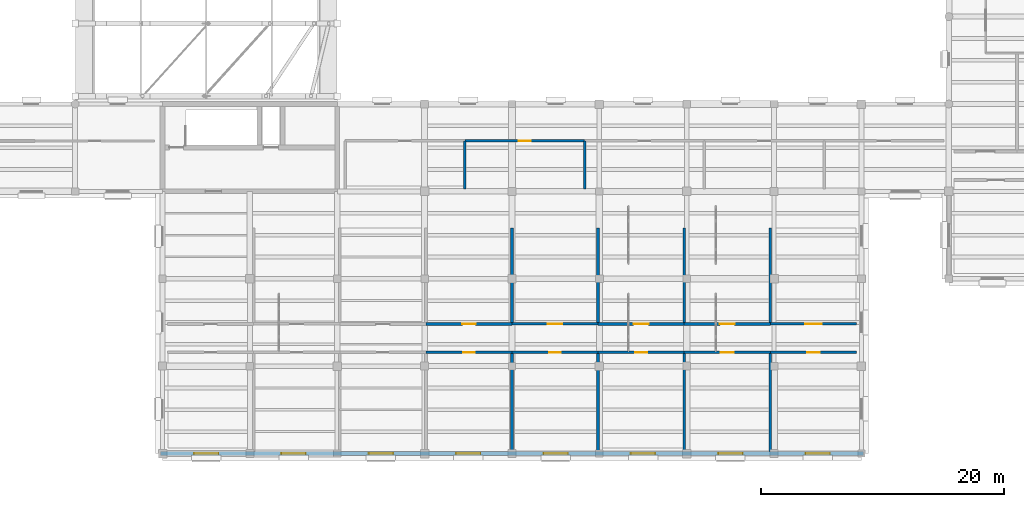
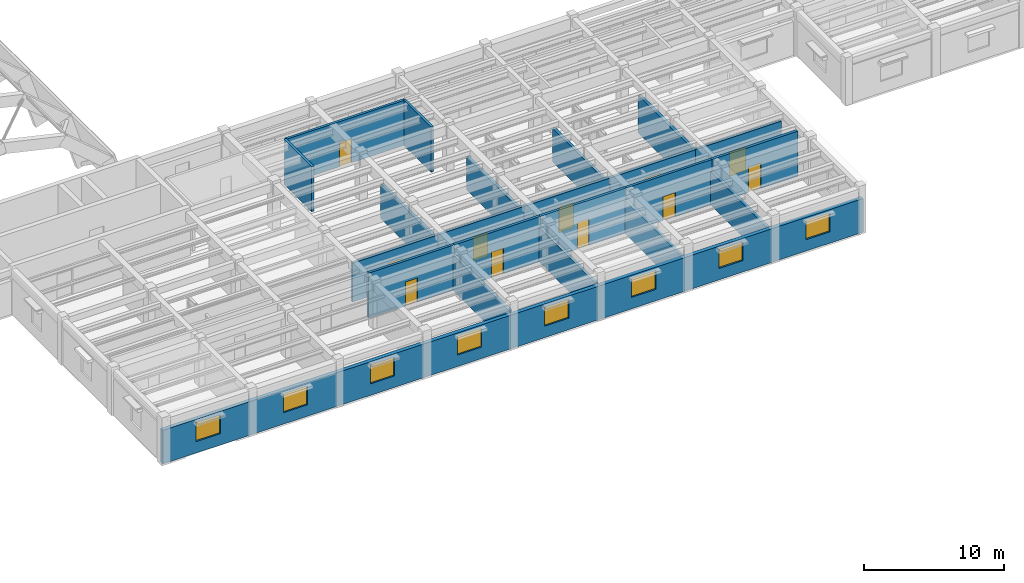
# One storey, part 41 of 66: 22 walls, 11 doors, 8 windows, 19 openings.
"""IFC4 building model written with IfcOpenShell, lengths in metres."""

from ifc_helpers import new_model, si_unit, direction, frame, frame_2d, origin, place, context, subcontext, project, spatial, rectangle, extrude, material, layer, layer_set, type_object, element, fill, save


model = new_model("IFC4")

# Units and contexts
model_context = context("Model", 3, precision=1e-05, world=origin(), true_north=direction((0.0, 1.0)))
body_context = subcontext(model_context, "Body", "Model", "MODEL_VIEW")
ifc_project = project(units=[si_unit("LENGTHUNIT", "METRE"), si_unit("AREAUNIT", "SQUARE_METRE"), si_unit("VOLUMEUNIT", "CUBIC_METRE"), si_unit("PLANEANGLEUNIT", "RADIAN"), si_unit("MASSUNIT", "GRAM", prefix="KILO")], contexts=[model_context])

# Site, building, storey
site_placement = place(None, origin())
site = spatial("IfcSite", under=ifc_project, at=site_placement, CompositionType="ELEMENT")
building_placement = place(site_placement, origin())
building = spatial("IfcBuilding", under=site, at=building_placement, Name="Mithqara Police Headquarters", CompositionType="ELEMENT")
storey_placement = place(building_placement, frame((0.0, 0.0, 9.60009765625)))
storey = spatial("IfcBuildingStorey", under=building, at=storey_placement, Name="L02", CompositionType="ELEMENT", Elevation=9.60009765625)

# Wall, openings, windows
ifc_material_1 = material(Name="Limestone ashlar masonry, 45 MPa", Category="masonry")
ifc_layer_1 = layer(ifc_material_1, 0.320068359375, Name="Limestone ashlar masonry, 45 MPa")
ifc_layer_set_1 = layer_set([ifc_layer_1], Name="Limestone ashlar masonry, 45 MPa")
wall_type_1 = type_object("IfcWallType", Name="EXT WALL LIMESTONE320", PredefinedType="SOLIDWALL", material=ifc_layer_set_1)
wall_1_placement = place(storey_placement, frame((79.639892578125, 6.60009765625, 0.0), z_axis=(0.0, 0.0, 1.0), x_axis=(1.0, 0.0, 0.0)))
wall_1 = element("IfcWall", 1, at=wall_1_placement, inside=storey, type_object=wall_type_1, Name="L02 Exterior Wall 2.1", PredefinedType="SOLIDWALL", context=body_context, shape_type="SweptSolid", body=[
    extrude(rectangle(XDim=57.920166015625, YDim=0.320068359375, at=frame_2d((28.9599609375, 0.0))), origin(), (0.0, 0.0, 1.0), 2.93994140625),
])
opening_1_placement = place(wall_1_placement, frame((2.760009765625, 0.0, 1.0)))
opening_1 = element("IfcOpeningElement", 2, at=opening_1_placement, cuts=wall_1, Name="Opening W-37", PredefinedType="OPENING", context=body_context, shape_type="SweptSolid", body=[
    extrude(rectangle(XDim=2.0, YDim=1.64990234375, at=frame_2d((1.0, 0.824951171875))), frame((0.0, 0.169921875, 0.0), z_axis=(0.0, -1.0, 0.0), x_axis=(1.0, 0.0, 0.0)), (0.0, 0.0, 1.0), 0.340087890625),
])
opening_2_placement = place(wall_1_placement, frame((9.9599609375, 0.0, 1.0)))
opening_2 = element("IfcOpeningElement", 3, at=opening_2_placement, cuts=wall_1, Name="Opening W-37", PredefinedType="OPENING", context=body_context, shape_type="SweptSolid", body=[
    extrude(rectangle(XDim=2.0, YDim=1.64990234375, at=frame_2d((1.0, 0.824951171875))), frame((0.0, 0.169921875, 0.0), z_axis=(0.0, -1.0, 0.0), x_axis=(1.0, 0.0, 0.0)), (0.0, 0.0, 1.0), 0.340087890625),
])
opening_3_placement = place(wall_1_placement, frame((17.159912109375, 0.0, 1.0)))
opening_3 = element("IfcOpeningElement", 4, at=opening_3_placement, cuts=wall_1, Name="Opening W-37", PredefinedType="OPENING", context=body_context, shape_type="SweptSolid", body=[
    extrude(rectangle(XDim=2.0, YDim=1.64990234375, at=frame_2d((1.0, 0.824951171875))), frame((0.0, 0.169921875, 0.0), z_axis=(0.0, -1.0, 0.0), x_axis=(1.0, 0.0, 0.0)), (0.0, 0.0, 1.0), 0.340087890625),
])
opening_4_placement = place(wall_1_placement, frame((24.360107421875, 0.0, 1.0)))
opening_4 = element("IfcOpeningElement", 5, at=opening_4_placement, cuts=wall_1, Name="Opening W-37", PredefinedType="OPENING", context=body_context, shape_type="SweptSolid", body=[
    extrude(rectangle(XDim=2.0, YDim=1.64990234375, at=frame_2d((1.0, 0.824951171875))), frame((0.0, 0.169921875, 0.0), z_axis=(0.0, -1.0, 0.0), x_axis=(1.0, 0.0, 0.0)), (0.0, 0.0, 1.0), 0.340087890625),
])
opening_5_placement = place(wall_1_placement, frame((31.56005859375, 0.0, 1.0)))
opening_5 = element("IfcOpeningElement", 6, at=opening_5_placement, cuts=wall_1, Name="Opening W-37", PredefinedType="OPENING", context=body_context, shape_type="SweptSolid", body=[
    extrude(rectangle(XDim=2.0, YDim=1.64990234375, at=frame_2d((1.0, 0.824951171875))), frame((0.0, 0.169921875, 0.0), z_axis=(0.0, -1.0, 0.0), x_axis=(1.0, 0.0, 0.0)), (0.0, 0.0, 1.0), 0.340087890625),
])
opening_6_placement = place(wall_1_placement, frame((38.760009765625, 0.0, 1.0)))
opening_6 = element("IfcOpeningElement", 7, at=opening_6_placement, cuts=wall_1, Name="Opening W-37", PredefinedType="OPENING", context=body_context, shape_type="SweptSolid", body=[
    extrude(rectangle(XDim=2.0, YDim=1.64990234375, at=frame_2d((1.0, 0.824951171875))), frame((0.0, 0.169921875, 0.0), z_axis=(0.0, -1.0, 0.0), x_axis=(1.0, 0.0, 0.0)), (0.0, 0.0, 1.0), 0.340087890625),
])
opening_7_placement = place(wall_1_placement, frame((45.9599609375, 0.0, 1.0)))
opening_7 = element("IfcOpeningElement", 8, at=opening_7_placement, cuts=wall_1, Name="Opening W-37", PredefinedType="OPENING", context=body_context, shape_type="SweptSolid", body=[
    extrude(rectangle(XDim=2.0, YDim=1.64990234375, at=frame_2d((1.0, 0.824951171875))), frame((0.0, 0.169921875, 0.0), z_axis=(0.0, -1.0, 0.0), x_axis=(1.0, 0.0, 0.0)), (0.0, 0.0, 1.0), 0.340087890625),
])
opening_8_placement = place(wall_1_placement, frame((53.159912109375, 0.0, 1.0)))
opening_8 = element("IfcOpeningElement", 9, at=opening_8_placement, cuts=wall_1, Name="Opening W-37", PredefinedType="OPENING", context=body_context, shape_type="SweptSolid", body=[
    extrude(rectangle(XDim=2.0, YDim=1.64990234375, at=frame_2d((1.0, 0.824951171875))), frame((0.0, 0.169921875, 0.0), z_axis=(0.0, -1.0, 0.0), x_axis=(1.0, 0.0, 0.0)), (0.0, 0.0, 1.0), 0.340087890625),
])
ifc_material_2 = material(Name="Spectrally selective double low-e glass", Category="glass")
window_type = type_object("IfcWindowType", Name="WINDOW 2000X1650", PartitioningType="DOUBLE_PANEL_VERTICAL", PredefinedType="WINDOW", material=ifc_material_2)
window_1_placement = place(opening_1_placement, origin())
window_1 = element("IfcWindow", 10, at=window_1_placement, inside=storey, type_object=window_type, Name="L02 Deep-Set Punched Window 2.1", OverallHeight=1.64990234375, OverallWidth=2.0, PartitioningType="SINGLE_PANEL", PredefinedType="WINDOW", context=body_context, shape_type="SweptSolid", body=[
    extrude(rectangle(XDim=2.0, YDim=1.64990234375, at=frame_2d((1.0, 0.824951171875))), frame((0.0, 0.030029296875, 0.0), z_axis=(0.0, -1.0, 0.0), x_axis=(1.0, 0.0, 0.0)), (0.0, 0.0, 1.0), 0.06005859375),
])
fill(opening_1, window_1)
window_2_placement = place(opening_2_placement, origin())
window_2 = element("IfcWindow", 11, at=window_2_placement, inside=storey, type_object=window_type, Name="L02 Deep-Set Punched Window 2.2", OverallHeight=1.64990234375, OverallWidth=2.0, PartitioningType="SINGLE_PANEL", PredefinedType="WINDOW", context=body_context, shape_type="SweptSolid", body=[
    extrude(rectangle(XDim=2.0, YDim=1.64990234375, at=frame_2d((1.0, 0.824951171875))), frame((0.0, 0.030029296875, 0.0), z_axis=(0.0, -1.0, 0.0), x_axis=(1.0, 0.0, 0.0)), (0.0, 0.0, 1.0), 0.06005859375),
])
fill(opening_2, window_2)
window_3_placement = place(opening_3_placement, origin())
window_3 = element("IfcWindow", 12, at=window_3_placement, inside=storey, type_object=window_type, Name="L02 Deep-Set Punched Window 2.3", OverallHeight=1.64990234375, OverallWidth=2.0, PartitioningType="SINGLE_PANEL", PredefinedType="WINDOW", context=body_context, shape_type="SweptSolid", body=[
    extrude(rectangle(XDim=2.0, YDim=1.64990234375, at=frame_2d((1.0, 0.824951171875))), frame((0.0, 0.030029296875, 0.0), z_axis=(0.0, -1.0, 0.0), x_axis=(1.0, 0.0, 0.0)), (0.0, 0.0, 1.0), 0.06005859375),
])
fill(opening_3, window_3)
window_4_placement = place(opening_4_placement, origin())
window_4 = element("IfcWindow", 13, at=window_4_placement, inside=storey, type_object=window_type, Name="L02 Deep-Set Punched Window 2.4", OverallHeight=1.64990234375, OverallWidth=2.0, PartitioningType="SINGLE_PANEL", PredefinedType="WINDOW", context=body_context, shape_type="SweptSolid", body=[
    extrude(rectangle(XDim=2.0, YDim=1.64990234375, at=frame_2d((1.0, 0.824951171875))), frame((0.0, 0.030029296875, 0.0), z_axis=(0.0, -1.0, 0.0), x_axis=(1.0, 0.0, 0.0)), (0.0, 0.0, 1.0), 0.06005859375),
])
fill(opening_4, window_4)
window_5_placement = place(opening_5_placement, origin())
window_5 = element("IfcWindow", 14, at=window_5_placement, inside=storey, type_object=window_type, Name="L02 Deep-Set Punched Window 2.5", OverallHeight=1.64990234375, OverallWidth=2.0, PartitioningType="SINGLE_PANEL", PredefinedType="WINDOW", context=body_context, shape_type="SweptSolid", body=[
    extrude(rectangle(XDim=2.0, YDim=1.64990234375, at=frame_2d((1.0, 0.824951171875))), frame((0.0, 0.030029296875, 0.0), z_axis=(0.0, -1.0, 0.0), x_axis=(1.0, 0.0, 0.0)), (0.0, 0.0, 1.0), 0.06005859375),
])
fill(opening_5, window_5)
window_6_placement = place(opening_6_placement, origin())
window_6 = element("IfcWindow", 15, at=window_6_placement, inside=storey, type_object=window_type, Name="L02 Deep-Set Punched Window 2.6", OverallHeight=1.64990234375, OverallWidth=2.0, PartitioningType="SINGLE_PANEL", PredefinedType="WINDOW", context=body_context, shape_type="SweptSolid", body=[
    extrude(rectangle(XDim=2.0, YDim=1.64990234375, at=frame_2d((1.0, 0.824951171875))), frame((0.0, 0.030029296875, 0.0), z_axis=(0.0, -1.0, 0.0), x_axis=(1.0, 0.0, 0.0)), (0.0, 0.0, 1.0), 0.06005859375),
])
fill(opening_6, window_6)
window_7_placement = place(opening_7_placement, origin())
window_7 = element("IfcWindow", 16, at=window_7_placement, inside=storey, type_object=window_type, Name="L02 Deep-Set Punched Window 2.7", OverallHeight=1.64990234375, OverallWidth=2.0, PartitioningType="SINGLE_PANEL", PredefinedType="WINDOW", context=body_context, shape_type="SweptSolid", body=[
    extrude(rectangle(XDim=2.0, YDim=1.64990234375, at=frame_2d((1.0, 0.824951171875))), frame((0.0, 0.030029296875, 0.0), z_axis=(0.0, -1.0, 0.0), x_axis=(1.0, 0.0, 0.0)), (0.0, 0.0, 1.0), 0.06005859375),
])
fill(opening_7, window_7)
window_8_placement = place(opening_8_placement, origin())
window_8 = element("IfcWindow", 17, at=window_8_placement, inside=storey, type_object=window_type, Name="L02 Deep-Set Punched Window 2.8", OverallHeight=1.64990234375, OverallWidth=2.0, PartitioningType="SINGLE_PANEL", PredefinedType="WINDOW", context=body_context, shape_type="SweptSolid", body=[
    extrude(rectangle(XDim=2.0, YDim=1.64990234375, at=frame_2d((1.0, 0.824951171875))), frame((0.0, 0.030029296875, 0.0), z_axis=(0.0, -1.0, 0.0), x_axis=(1.0, 0.0, 0.0)), (0.0, 0.0, 1.0), 0.06005859375),
])
fill(opening_8, window_8)

# Wall
ifc_material_3 = material(Name="Concrete C40/50", Category="concrete")
ifc_layer_2 = layer(ifc_material_3, 0.2099609375, Name="Concrete C40/50")
ifc_layer_set_2 = layer_set([ifc_layer_2], Name="Concrete C40/50")
wall_type_2 = type_object("IfcWallType", Name="PART WALL 210", PredefinedType="PARTITIONING", material=ifc_layer_set_2)
wall_2_placement = place(storey_placement, frame((104.716064453125, 28.3798828125, 0.0), z_axis=(0.0, 0.0, 1.0), x_axis=(0.0, 1.0, 0.0)))
element("IfcWall", 18, at=wall_2_placement, inside=storey, type_object=wall_type_2, Name="L02 Room Partition Community Safety Analysis Office", PredefinedType="PARTITIONING", context=body_context, shape_type="SweptSolid", body=[
    extrude(rectangle(XDim=3.980224609375, YDim=0.2099609375, at=frame_2d((1.990234375, 0.0))), origin(), (0.0, 0.0, 1.0), 3.93994140625),
])

# Wall, opening, door
wall_3_placement = place(storey_placement, frame((104.716064453125, 32.360107421875, 0.0), z_axis=(0.0, 0.0, 1.0), x_axis=(1.0, 0.0, 0.0)))
wall_3 = element("IfcWall", 19, at=wall_3_placement, inside=storey, type_object=wall_type_2, Name="L02 Corridor Wall Crime Prevention Outreach Room", PredefinedType="PARTITIONING", context=body_context, shape_type="SweptSolid", body=[
    extrude(rectangle(XDim=9.865966796875, YDim=0.2099609375, at=frame_2d((4.93310546875, 0.0))), origin(), (0.0, 0.0, 1.0), 3.93994140625),
])
opening_9_placement = place(wall_3_placement, frame((4.443115234375, 0.0, 0.0)))
opening_9 = element("IfcOpeningElement", 20, at=opening_9_placement, cuts=wall_3, Name="Opening D-04", PredefinedType="OPENING", context=body_context, shape_type="SweptSolid", body=[
    extrude(rectangle(XDim=0.97998046875, YDim=2.10009765625, at=frame_2d((0.489990234375, 1.050048828125))), frame((0.0, 0.114990234375, 0.0), z_axis=(0.0, -1.0, 0.0), x_axis=(1.0, 0.0, 0.0)), (0.0, 0.0, 1.0), 0.22998046875),
])
ifc_material_4 = material(Name="Acoustic solid-core timber leaf", Category="wood")
door_type_1 = type_object("IfcDoorType", Name="INT DOOR 980X2100", OperationType="NOTDEFINED", PredefinedType="DOOR", material=ifc_material_4)
door_1_placement = place(opening_9_placement, frame((0.97998046875, 0.0, 0.0), z_axis=(0.0, 0.0, 1.0), x_axis=(-1.0, 0.0, 0.0)))
door_1 = element("IfcDoor", 21, at=door_1_placement, inside=storey, type_object=door_type_1, Name="Crime Prevention Outreach Room Entry Door", OperationType="SINGLE_SWING_LEFT", OverallHeight=2.10009765625, OverallWidth=0.97998046875, PredefinedType="DOOR", context=body_context, shape_type="SweptSolid", body=[
    extrude(rectangle(XDim=0.97998046875, YDim=2.10009765625, at=frame_2d((0.489990234375, 1.050048828125))), frame((0.0, 0.02490234375, 0.0), z_axis=(0.0, -1.0, 0.0), x_axis=(1.0, 0.0, 0.0)), (0.0, 0.0, 1.0), 0.050048828125),
])
fill(opening_9, door_1)

# Wall
wall_4_placement = place(storey_placement, frame((114.58203125, 28.3798828125, 0.0), z_axis=(0.0, 0.0, 1.0), x_axis=(0.0, 1.0, 0.0)))
element("IfcWall", 22, at=wall_4_placement, inside=storey, type_object=wall_type_2, Name="L02 Room Partition Crime Prevention Outreach Room", PredefinedType="PARTITIONING", context=body_context, shape_type="SweptSolid", body=[
    extrude(rectangle(XDim=3.980224609375, YDim=0.2099609375, at=frame_2d((1.990234375, 0.0))), origin(), (0.0, 0.0, 1.0), 3.93994140625),
])

# Wall, opening, door
wall_5_placement = place(storey_placement, frame((101.5048828125, 14.93994140625, 0.0), z_axis=(0.0, 0.0, 1.0), x_axis=(1.0, 0.0, 0.0)))
wall_5 = element("IfcWall", 23, at=wall_5_placement, inside=storey, type_object=wall_type_2, Name="L02 Corridor Wall Custody Administration Suite", PredefinedType="PARTITIONING", context=body_context, shape_type="SweptSolid", body=[
    extrude(rectangle(XDim=7.09521484375, YDim=0.2099609375, at=frame_2d((3.547607421875, 0.0))), origin(), (0.0, 0.0, 1.0), 3.93994140625),
])
opening_10_placement = place(wall_5_placement, frame((3.0576171875, 0.0, 0.0)))
opening_10 = element("IfcOpeningElement", 24, at=opening_10_placement, cuts=wall_5, Name="Opening D-04", PredefinedType="OPENING", context=body_context, shape_type="SweptSolid", body=[
    extrude(rectangle(XDim=0.97998046875, YDim=2.10009765625, at=frame_2d((0.489990234375, 1.050048828125))), frame((0.0, 0.114990234375, 0.0), z_axis=(0.0, -1.0, 0.0), x_axis=(1.0, 0.0, 0.0)), (0.0, 0.0, 1.0), 0.22998046875),
])
door_2_placement = place(opening_10_placement, frame((0.97998046875, 0.0, 0.0), z_axis=(0.0, 0.0, 1.0), x_axis=(-1.0, 0.0, 0.0)))
door_2 = element("IfcDoor", 25, at=door_2_placement, inside=storey, type_object=door_type_1, Name="Custody Administration Suite Entry Door", OperationType="SINGLE_SWING_LEFT", OverallHeight=2.10009765625, OverallWidth=0.97998046875, PredefinedType="DOOR", context=body_context, shape_type="SweptSolid", body=[
    extrude(rectangle(XDim=0.97998046875, YDim=2.10009765625, at=frame_2d((0.489990234375, 1.050048828125))), frame((0.0, 0.02490234375, 0.0), z_axis=(0.0, -1.0, 0.0), x_axis=(1.0, 0.0, 0.0)), (0.0, 0.0, 1.0), 0.050048828125),
])
fill(opening_10, door_2)

wall_6_placement = place(storey_placement, frame((122.7900390625, 14.93994140625, 0.0), z_axis=(0.0, 0.0, 1.0), x_axis=(1.0, 0.0, 0.0)))
wall_6 = element("IfcWall", 26, at=wall_6_placement, inside=storey, type_object=wall_type_2, Name="L02 Corridor Wall Custody Administration Suite", PredefinedType="PARTITIONING", context=body_context, shape_type="SweptSolid", body=[
    extrude(rectangle(XDim=7.094970703125, YDim=0.2099609375, at=frame_2d((3.54736328125, 0.0))), origin(), (0.0, 0.0, 1.0), 3.93994140625),
])
opening_11_placement = place(wall_6_placement, frame((3.027587890625, 0.0, 0.0)))
opening_11 = element("IfcOpeningElement", 27, at=opening_11_placement, cuts=wall_6, Name="Opening D-07", PredefinedType="OPENING", context=body_context, shape_type="SweptSolid", body=[
    extrude(rectangle(XDim=1.0400390625, YDim=2.10009765625, at=frame_2d((0.52001953125, 1.050048828125))), frame((0.0, 0.114990234375, 0.0), z_axis=(0.0, -1.0, 0.0), x_axis=(1.0, 0.0, 0.0)), (0.0, 0.0, 1.0), 0.22998046875),
])
door_type_2 = type_object("IfcDoorType", Name="INT DOOR 1040X2100", OperationType="NOTDEFINED", PredefinedType="DOOR", material=ifc_material_4)
door_3_placement = place(opening_11_placement, frame((1.0400390625, 0.0, 0.0), z_axis=(0.0, 0.0, 1.0), x_axis=(-1.0, 0.0, 0.0)))
door_3 = element("IfcDoor", 28, at=door_3_placement, inside=storey, type_object=door_type_2, Name="Custody Administration Suite Entry Door", OperationType="SINGLE_SWING_RIGHT", OverallHeight=2.10009765625, OverallWidth=1.0400390625, PredefinedType="DOOR", context=body_context, shape_type="SweptSolid", body=[
    extrude(rectangle(XDim=1.0400390625, YDim=2.10009765625, at=frame_2d((0.52001953125, 1.050048828125))), frame((0.0, 0.02490234375, 0.0), z_axis=(0.0, -1.0, 0.0), x_axis=(1.0, 0.0, 0.0)), (0.0, 0.0, 1.0), 0.050048828125),
])
fill(opening_11, door_3)

wall_7_placement = place(storey_placement, frame((108.60009765625, 17.280029296875, 0.0), z_axis=(0.0, 0.0, 1.0), x_axis=(1.0, 0.0, 0.0)))
wall_7 = element("IfcWall", 29, at=wall_7_placement, inside=storey, type_object=wall_type_2, Name="L02 Corridor Wall Custody Administration Suite", PredefinedType="PARTITIONING", context=body_context, shape_type="SweptSolid", body=[
    extrude(rectangle(XDim=7.094970703125, YDim=0.2099609375, at=frame_2d((3.54736328125, 0.0))), origin(), (0.0, 0.0, 1.0), 3.389892578125),
])
opening_12_placement = place(wall_7_placement, frame((2.9375, 0.0, 0.0)))
opening_12 = element("IfcOpeningElement", 30, at=opening_12_placement, cuts=wall_7, Name="Opening D-13", PredefinedType="OPENING", context=body_context, shape_type="SweptSolid", body=[
    extrude(rectangle(XDim=1.219970703125, YDim=2.10009765625, at=frame_2d((0.60986328125, 1.050048828125))), frame((0.0, 0.114990234375, 0.0), z_axis=(0.0, -1.0, 0.0), x_axis=(1.0, 0.0, 0.0)), (0.0, 0.0, 1.0), 0.22998046875),
])
door_type_3 = type_object("IfcDoorType", Name="INT DOOR 1220X2100", OperationType="NOTDEFINED", PredefinedType="DOOR", material=ifc_material_4)
door_4_placement = place(opening_12_placement, origin())
door_4 = element("IfcDoor", 31, at=door_4_placement, inside=storey, type_object=door_type_3, Name="Custody Administration Suite Entry Door", OperationType="SINGLE_SWING_RIGHT", OverallHeight=2.10009765625, OverallWidth=1.219970703125, PredefinedType="DOOR", context=body_context, shape_type="SweptSolid", body=[
    extrude(rectangle(XDim=1.219970703125, YDim=2.10009765625, at=frame_2d((0.60986328125, 1.050048828125))), frame((0.0, 0.02490234375, 0.0), z_axis=(0.0, -1.0, 0.0), x_axis=(1.0, 0.0, 0.0)), (0.0, 0.0, 1.0), 0.050048828125),
])
fill(opening_12, door_4)

wall_8_placement = place(storey_placement, frame((129.885009765625, 17.280029296875, 0.0), z_axis=(0.0, 0.0, 1.0), x_axis=(1.0, 0.0, 0.0)))
wall_8 = element("IfcWall", 32, at=wall_8_placement, inside=storey, type_object=wall_type_2, Name="L02 Corridor Wall Custody Administration Suite", PredefinedType="PARTITIONING", context=body_context, shape_type="SweptSolid", body=[
    extrude(rectangle(XDim=7.094970703125, YDim=0.2099609375, at=frame_2d((3.54736328125, 0.0))), origin(), (0.0, 0.0, 1.0), 3.389892578125),
])
opening_13_placement = place(wall_8_placement, frame((2.867431640625, 0.0, 0.0)))
opening_13 = element("IfcOpeningElement", 33, at=opening_13_placement, cuts=wall_8, Name="Opening D-16", PredefinedType="OPENING", context=body_context, shape_type="SweptSolid", body=[
    extrude(rectangle(XDim=1.360107421875, YDim=2.10009765625, at=frame_2d((0.68017578125, 1.050048828125))), frame((0.0, 0.114990234375, 0.0), z_axis=(0.0, -1.0, 0.0), x_axis=(1.0, 0.0, 0.0)), (0.0, 0.0, 1.0), 0.22998046875),
])
ifc_material_5 = material(Name="Bronze anodised aluminium 6063-T6", Category="aluminium")
door_type_4 = type_object("IfcDoorType", Name="INT DOOR 1360X2100", OperationType="NOTDEFINED", PredefinedType="DOOR", material=ifc_material_5)
door_5_placement = place(opening_13_placement, origin())
door_5 = element("IfcDoor", 34, at=door_5_placement, inside=storey, type_object=door_type_4, Name="Custody Administration Suite Entry Door", OperationType="SINGLE_SWING_LEFT", OverallHeight=2.10009765625, OverallWidth=1.360107421875, PredefinedType="DOOR", context=body_context, shape_type="SweptSolid", body=[
    extrude(rectangle(XDim=1.360107421875, YDim=2.10009765625, at=frame_2d((0.68017578125, 1.050048828125))), frame((0.0, 0.02490234375, 0.0), z_axis=(0.0, -1.0, 0.0), x_axis=(1.0, 0.0, 0.0)), (0.0, 0.0, 1.0), 0.050048828125),
])
fill(opening_13, door_5)

# Wall
ifc_layer_3 = layer(ifc_material_3, 0.22998046875, Name="Concrete C40/50")
ifc_layer_set_3 = layer_set([ifc_layer_3], Name="Concrete C40/50")
wall_type_3 = type_object("IfcWallType", Name="PART WALL 230", PredefinedType="PARTITIONING", material=ifc_layer_set_3)
wall_9_placement = place(storey_placement, frame((108.60009765625, 6.780029296875, 0.0), z_axis=(0.0, 0.0, 1.0), x_axis=(0.0, 1.0, 0.0)))
element("IfcWall", 35, at=wall_9_placement, inside=storey, type_object=wall_type_3, Name="L02 Room Partition Custody Administration Suite", PredefinedType="PARTITIONING", context=body_context, shape_type="SweptSolid", body=[
    extrude(rectangle(XDim=8.159912109375, YDim=0.22998046875, at=frame_2d((4.080078125, 0.0))), origin(), (0.0, 0.0, 1.0), 3.08984375),
])

# Wall, opening, door
wall_10_placement = place(storey_placement, frame((108.60009765625, 14.93994140625, 0.0), z_axis=(0.0, 0.0, 1.0), x_axis=(1.0, 0.0, 0.0)))
wall_10 = element("IfcWall", 36, at=wall_10_placement, inside=storey, type_object=wall_type_3, Name="L02 Corridor Wall Magistrate Video Hearing Room", PredefinedType="PARTITIONING", context=body_context, shape_type="SweptSolid", body=[
    extrude(rectangle(XDim=7.094970703125, YDim=0.22998046875, at=frame_2d((3.54736328125, 0.0))), origin(), (0.0, 0.0, 1.0), 3.93994140625),
])
opening_14_placement = place(wall_10_placement, frame((3.0576171875, 0.0, 0.0)))
opening_14 = element("IfcOpeningElement", 37, at=opening_14_placement, cuts=wall_10, Name="Opening D-05", PredefinedType="OPENING", context=body_context, shape_type="SweptSolid", body=[
    extrude(rectangle(XDim=0.97998046875, YDim=2.219970703125, at=frame_2d((0.489990234375, 1.10986328125))), frame((0.0, 0.125, 0.0), z_axis=(0.0, -1.0, 0.0), x_axis=(1.0, 0.0, 0.0)), (0.0, 0.0, 1.0), 0.25),
])
door_type_5 = type_object("IfcDoorType", Name="INT DOOR 980X2220", OperationType="NOTDEFINED", PredefinedType="DOOR", material=ifc_material_4)
door_6_placement = place(opening_14_placement, frame((0.97998046875, 0.0, 0.0), z_axis=(0.0, 0.0, 1.0), x_axis=(-1.0, 0.0, 0.0)))
door_6 = element("IfcDoor", 38, at=door_6_placement, inside=storey, type_object=door_type_5, Name="Magistrate Video Hearing Room Entry Door", OperationType="SINGLE_SWING_RIGHT", OverallHeight=2.219970703125, OverallWidth=0.97998046875, PredefinedType="DOOR", context=body_context, shape_type="SweptSolid", body=[
    extrude(rectangle(XDim=0.97998046875, YDim=2.219970703125, at=frame_2d((0.489990234375, 1.10986328125))), frame((0.0, 0.02490234375, 0.0), z_axis=(0.0, -1.0, 0.0), x_axis=(1.0, 0.0, 0.0)), (0.0, 0.0, 1.0), 0.050048828125),
])
fill(opening_14, door_6)

# Wall
wall_11_placement = place(storey_placement, frame((115.695068359375, 6.780029296875, 0.0), z_axis=(0.0, 0.0, 1.0), x_axis=(0.0, 1.0, 0.0)))
element("IfcWall", 39, at=wall_11_placement, inside=storey, type_object=wall_type_3, Name="L02 Room Partition Magistrate Video Hearing Room", PredefinedType="PARTITIONING", context=body_context, shape_type="SweptSolid", body=[
    extrude(rectangle(XDim=8.159912109375, YDim=0.22998046875, at=frame_2d((4.080078125, 0.0))), origin(), (0.0, 0.0, 1.0), 3.039794921875),
])

# Wall, opening, door
wall_12_placement = place(storey_placement, frame((115.695068359375, 14.93994140625, 0.0), z_axis=(0.0, 0.0, 1.0), x_axis=(1.0, 0.0, 0.0)))
wall_12 = element("IfcWall", 40, at=wall_12_placement, inside=storey, type_object=wall_type_3, Name="L02 Corridor Wall Legal Counsel Consultation Room", PredefinedType="PARTITIONING", context=body_context, shape_type="SweptSolid", body=[
    extrude(rectangle(XDim=7.094970703125, YDim=0.22998046875, at=frame_2d((3.54736328125, 0.0))), origin(), (0.0, 0.0, 1.0), 3.93994140625),
])
opening_15_placement = place(wall_12_placement, frame((3.0576171875, 0.0, 0.0)))
opening_15 = element("IfcOpeningElement", 41, at=opening_15_placement, cuts=wall_12, Name="Opening D-06", PredefinedType="OPENING", context=body_context, shape_type="SweptSolid", body=[
    extrude(rectangle(XDim=0.97998046875, YDim=2.35009765625, at=frame_2d((0.489990234375, 1.175048828125))), frame((0.0, 0.125, 0.0), z_axis=(0.0, -1.0, 0.0), x_axis=(1.0, 0.0, 0.0)), (0.0, 0.0, 1.0), 0.25),
])
door_type_6 = type_object("IfcDoorType", Name="INT DOOR 980X2350", OperationType="NOTDEFINED", PredefinedType="DOOR", material=ifc_material_4)
door_7_placement = place(opening_15_placement, frame((0.97998046875, 0.0, 0.0), z_axis=(0.0, 0.0, 1.0), x_axis=(-1.0, 0.0, 0.0)))
door_7 = element("IfcDoor", 42, at=door_7_placement, inside=storey, type_object=door_type_6, Name="Legal Counsel Consultation Room Entry Door", OperationType="SINGLE_SWING_LEFT", OverallHeight=2.35009765625, OverallWidth=0.97998046875, PredefinedType="DOOR", context=body_context, shape_type="SweptSolid", body=[
    extrude(rectangle(XDim=0.97998046875, YDim=2.35009765625, at=frame_2d((0.489990234375, 1.175048828125))), frame((0.0, 0.02490234375, 0.0), z_axis=(0.0, -1.0, 0.0), x_axis=(1.0, 0.0, 0.0)), (0.0, 0.0, 1.0), 0.050048828125),
])
fill(opening_15, door_7)

# Walls
for number, where, z_axis, x_axis, name in (
    (43, (122.7900390625, 6.780029296875, 0.0), (0.0, 0.0, 1.0), (0.0, 1.0, 0.0), "L02 Room Partition Legal Counsel Consultation Room"),
    (44, (129.885009765625, 6.780029296875, 0.0), (0.0, 0.0, 1.0), (0.0, 1.0, 0.0), "L02 Room Partition Custody Administration Suite"),
):
    element("IfcWall", number, at=place(storey_placement, frame(where, z_axis=z_axis, x_axis=x_axis)), inside=storey, type_object=wall_type_3, Name=name, PredefinedType="PARTITIONING", context=body_context, shape_type="SweptSolid", body=[
        extrude(rectangle(XDim=8.159912109375, YDim=0.22998046875, at=frame_2d((4.080078125, 0.0))), origin(), (0.0, 0.0, 1.0), 2.93994140625),
    ])

# Wall, opening, door
wall_13_placement = place(storey_placement, frame((129.885009765625, 14.93994140625, 0.0), z_axis=(0.0, 0.0, 1.0), x_axis=(1.0, 0.0, 0.0)))
wall_13 = element("IfcWall", 45, at=wall_13_placement, inside=storey, type_object=wall_type_3, Name="L02 Corridor Wall Magistrate Video Hearing Room", PredefinedType="PARTITIONING", context=body_context, shape_type="SweptSolid", body=[
    extrude(rectangle(XDim=7.094970703125, YDim=0.22998046875, at=frame_2d((3.54736328125, 0.0))), origin(), (0.0, 0.0, 1.0), 3.93994140625),
])
opening_16_placement = place(wall_13_placement, frame((3.027587890625, 0.0, 0.0)))
opening_16 = element("IfcOpeningElement", 46, at=opening_16_placement, cuts=wall_13, Name="Opening D-08", PredefinedType="OPENING", context=body_context, shape_type="SweptSolid", body=[
    extrude(rectangle(XDim=1.0400390625, YDim=2.219970703125, at=frame_2d((0.52001953125, 1.10986328125))), frame((0.0, 0.125, 0.0), z_axis=(0.0, -1.0, 0.0), x_axis=(1.0, 0.0, 0.0)), (0.0, 0.0, 1.0), 0.25),
])
door_type_7 = type_object("IfcDoorType", Name="INT DOOR 1040X2220", OperationType="NOTDEFINED", PredefinedType="DOOR", material=ifc_material_4)
door_8_placement = place(opening_16_placement, frame((1.0400390625, 0.0, 0.0), z_axis=(0.0, 0.0, 1.0), x_axis=(-1.0, 0.0, 0.0)))
door_8 = element("IfcDoor", 47, at=door_8_placement, inside=storey, type_object=door_type_7, Name="Magistrate Video Hearing Room Entry Door", OperationType="SINGLE_SWING_LEFT", OverallHeight=2.219970703125, OverallWidth=1.0400390625, PredefinedType="DOOR", context=body_context, shape_type="SweptSolid", body=[
    extrude(rectangle(XDim=1.0400390625, YDim=2.219970703125, at=frame_2d((0.52001953125, 1.10986328125))), frame((0.0, 0.02490234375, 0.0), z_axis=(0.0, -1.0, 0.0), x_axis=(1.0, 0.0, 0.0)), (0.0, 0.0, 1.0), 0.050048828125),
])
fill(opening_16, door_8)

wall_14_placement = place(storey_placement, frame((101.5048828125, 17.280029296875, 0.0), z_axis=(0.0, 0.0, 1.0), x_axis=(1.0, 0.0, 0.0)))
wall_14 = element("IfcWall", 48, at=wall_14_placement, inside=storey, type_object=wall_type_3, Name="L02 Corridor Wall Legal Counsel Consultation Room", PredefinedType="PARTITIONING", context=body_context, shape_type="SweptSolid", body=[
    extrude(rectangle(XDim=7.09521484375, YDim=0.22998046875, at=frame_2d((3.547607421875, 0.0))), origin(), (0.0, 0.0, 1.0), 3.389892578125),
])
opening_17_placement = place(wall_14_placement, frame((2.99755859375, 0.0, 0.0)))
opening_17 = element("IfcOpeningElement", 49, at=opening_17_placement, cuts=wall_14, Name="Opening D-12", PredefinedType="OPENING", context=body_context, shape_type="SweptSolid", body=[
    extrude(rectangle(XDim=1.10009765625, YDim=2.35009765625, at=frame_2d((0.550048828125, 1.175048828125))), frame((0.0, 0.125, 0.0), z_axis=(0.0, -1.0, 0.0), x_axis=(1.0, 0.0, 0.0)), (0.0, 0.0, 1.0), 0.25),
])
door_type_8 = type_object("IfcDoorType", Name="INT DOOR 1100X2350", OperationType="NOTDEFINED", PredefinedType="DOOR", material=ifc_material_4)
door_9_placement = place(opening_17_placement, origin())
door_9 = element("IfcDoor", 50, at=door_9_placement, inside=storey, type_object=door_type_8, Name="Legal Counsel Consultation Room Entry Door", OperationType="SINGLE_SWING_LEFT", OverallHeight=2.35009765625, OverallWidth=1.10009765625, PredefinedType="DOOR", context=body_context, shape_type="SweptSolid", body=[
    extrude(rectangle(XDim=1.10009765625, YDim=2.35009765625, at=frame_2d((0.550048828125, 1.175048828125))), frame((0.0, 0.02490234375, 0.0), z_axis=(0.0, -1.0, 0.0), x_axis=(1.0, 0.0, 0.0)), (0.0, 0.0, 1.0), 0.050048828125),
])
fill(opening_17, door_9)

# Walls
wall_15_placement = place(storey_placement, frame((108.60009765625, 17.280029296875, 0.0), z_axis=(0.0, 0.0, 1.0), x_axis=(0.0, 1.0, 0.0)))
element("IfcWall", 51, at=wall_15_placement, inside=storey, type_object=wall_type_3, Name="L02 Room Partition Legal Counsel Consultation Room", PredefinedType="PARTITIONING", context=body_context, shape_type="SweptSolid", body=[
    extrude(rectangle(XDim=7.919921875, YDim=0.22998046875, at=frame_2d((3.9599609375, 0.0))), origin(), (0.0, 0.0, 1.0), 3.039794921875),
])
wall_16_placement = place(storey_placement, frame((115.695068359375, 17.280029296875, 0.0), z_axis=(0.0, 0.0, 1.0), x_axis=(0.0, 1.0, 0.0)))
element("IfcWall", 52, at=wall_16_placement, inside=storey, type_object=wall_type_3, Name="L02 Room Partition Custody Administration Suite", PredefinedType="PARTITIONING", context=body_context, shape_type="SweptSolid", body=[
    extrude(rectangle(XDim=7.919921875, YDim=0.22998046875, at=frame_2d((3.9599609375, 0.0))), origin(), (0.0, 0.0, 1.0), 2.93994140625),
])

# Wall, opening, door
wall_17_placement = place(storey_placement, frame((115.695068359375, 17.280029296875, 0.0), z_axis=(0.0, 0.0, 1.0), x_axis=(1.0, 0.0, 0.0)))
wall_17 = element("IfcWall", 53, at=wall_17_placement, inside=storey, type_object=wall_type_3, Name="L02 Corridor Wall Magistrate Video Hearing Room", PredefinedType="PARTITIONING", context=body_context, shape_type="SweptSolid", body=[
    extrude(rectangle(XDim=7.094970703125, YDim=0.22998046875, at=frame_2d((3.54736328125, 0.0))), origin(), (0.0, 0.0, 1.0), 3.389892578125),
])
opening_18_placement = place(wall_17_placement, frame((2.9375, 0.0, 0.0)))
opening_18 = element("IfcOpeningElement", 54, at=opening_18_placement, cuts=wall_17, Name="Opening D-14", PredefinedType="OPENING", context=body_context, shape_type="SweptSolid", body=[
    extrude(rectangle(XDim=1.219970703125, YDim=2.219970703125, at=frame_2d((0.60986328125, 1.10986328125))), frame((0.0, 0.125, 0.0), z_axis=(0.0, -1.0, 0.0), x_axis=(1.0, 0.0, 0.0)), (0.0, 0.0, 1.0), 0.25),
])
door_type_9 = type_object("IfcDoorType", Name="INT DOOR 1220X2220", OperationType="NOTDEFINED", PredefinedType="DOOR", material=ifc_material_4)
door_10_placement = place(opening_18_placement, origin())
door_10 = element("IfcDoor", 55, at=door_10_placement, inside=storey, type_object=door_type_9, Name="Magistrate Video Hearing Room Entry Door", OperationType="SINGLE_SWING_LEFT", OverallHeight=2.219970703125, OverallWidth=1.219970703125, PredefinedType="DOOR", context=body_context, shape_type="SweptSolid", body=[
    extrude(rectangle(XDim=1.219970703125, YDim=2.219970703125, at=frame_2d((0.60986328125, 1.10986328125))), frame((0.0, 0.02490234375, 0.0), z_axis=(0.0, -1.0, 0.0), x_axis=(1.0, 0.0, 0.0)), (0.0, 0.0, 1.0), 0.050048828125),
])
fill(opening_18, door_10)

# Wall
wall_18_placement = place(storey_placement, frame((122.7900390625, 17.280029296875, 0.0), z_axis=(0.0, 0.0, 1.0), x_axis=(0.0, 1.0, 0.0)))
element("IfcWall", 56, at=wall_18_placement, inside=storey, type_object=wall_type_3, Name="L02 Room Partition Magistrate Video Hearing Room", PredefinedType="PARTITIONING", context=body_context, shape_type="SweptSolid", body=[
    extrude(rectangle(XDim=7.919921875, YDim=0.22998046875, at=frame_2d((3.9599609375, 0.0))), origin(), (0.0, 0.0, 1.0), 2.93994140625),
])

# Wall, opening, door
wall_19_placement = place(storey_placement, frame((122.7900390625, 17.280029296875, 0.0), z_axis=(0.0, 0.0, 1.0), x_axis=(1.0, 0.0, 0.0)))
wall_19 = element("IfcWall", 57, at=wall_19_placement, inside=storey, type_object=wall_type_3, Name="L02 Corridor Wall Legal Counsel Consultation Room", PredefinedType="PARTITIONING", context=body_context, shape_type="SweptSolid", body=[
    extrude(rectangle(XDim=7.094970703125, YDim=0.22998046875, at=frame_2d((3.54736328125, 0.0))), origin(), (0.0, 0.0, 1.0), 3.389892578125),
])
opening_19_placement = place(wall_19_placement, frame((2.9375, 0.0, 0.0)))
opening_19 = element("IfcOpeningElement", 58, at=opening_19_placement, cuts=wall_19, Name="Opening D-15", PredefinedType="OPENING", context=body_context, shape_type="SweptSolid", body=[
    extrude(rectangle(XDim=1.219970703125, YDim=2.35009765625, at=frame_2d((0.60986328125, 1.175048828125))), frame((0.0, 0.125, 0.0), z_axis=(0.0, -1.0, 0.0), x_axis=(1.0, 0.0, 0.0)), (0.0, 0.0, 1.0), 0.25),
])
door_type_10 = type_object("IfcDoorType", Name="INT DOOR 1220X2350", OperationType="NOTDEFINED", PredefinedType="DOOR", material=ifc_material_4)
door_11_placement = place(opening_19_placement, origin())
door_11 = element("IfcDoor", 59, at=door_11_placement, inside=storey, type_object=door_type_10, Name="Legal Counsel Consultation Room Entry Door", OperationType="SINGLE_SWING_RIGHT", OverallHeight=2.35009765625, OverallWidth=1.219970703125, PredefinedType="DOOR", context=body_context, shape_type="SweptSolid", body=[
    extrude(rectangle(XDim=1.219970703125, YDim=2.35009765625, at=frame_2d((0.60986328125, 1.175048828125))), frame((0.0, 0.02490234375, 0.0), z_axis=(0.0, -1.0, 0.0), x_axis=(1.0, 0.0, 0.0)), (0.0, 0.0, 1.0), 0.050048828125),
])
fill(opening_19, door_11)

# Wall
wall_20_placement = place(storey_placement, frame((129.885009765625, 17.280029296875, 0.0), z_axis=(0.0, 0.0, 1.0), x_axis=(0.0, 1.0, 0.0)))
element("IfcWall", 60, at=wall_20_placement, inside=storey, type_object=wall_type_3, Name="L02 Room Partition Legal Counsel Consultation Room", PredefinedType="PARTITIONING", context=body_context, shape_type="SweptSolid", body=[
    extrude(rectangle(XDim=7.919921875, YDim=0.22998046875, at=frame_2d((3.9599609375, 0.0))), origin(), (0.0, 0.0, 1.0), 3.33984375),
])

save(model, "model.ifc")
